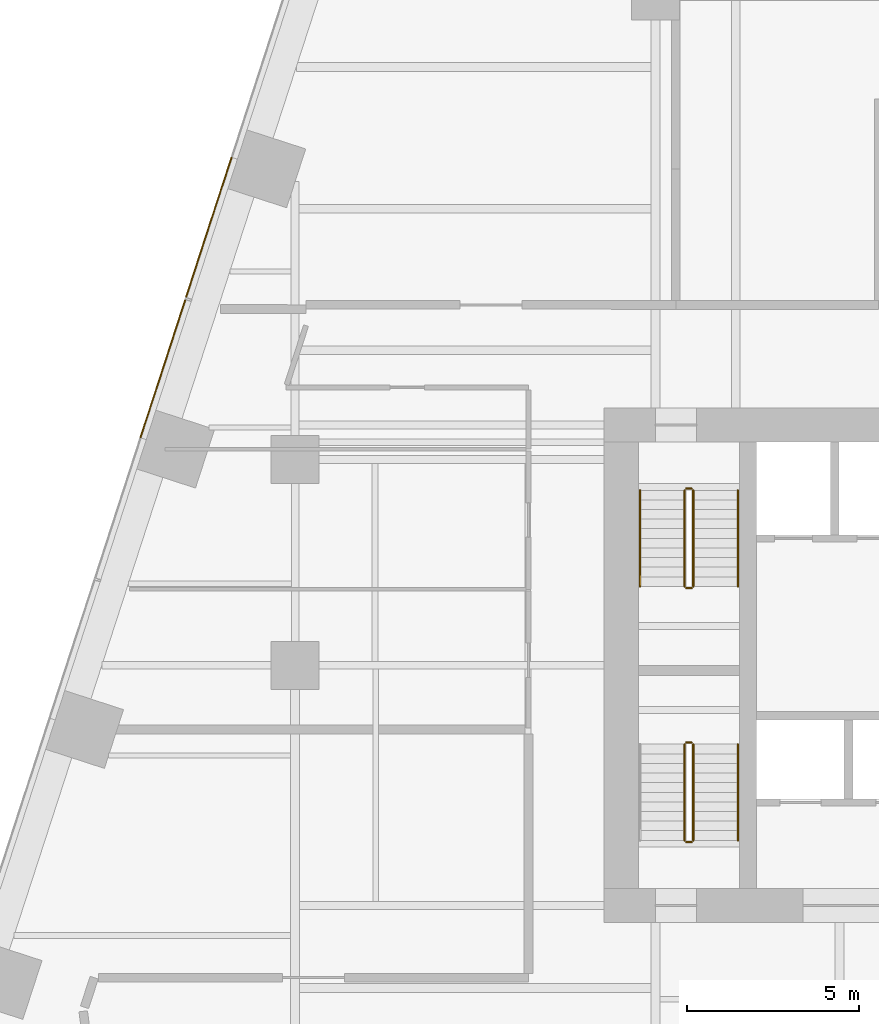
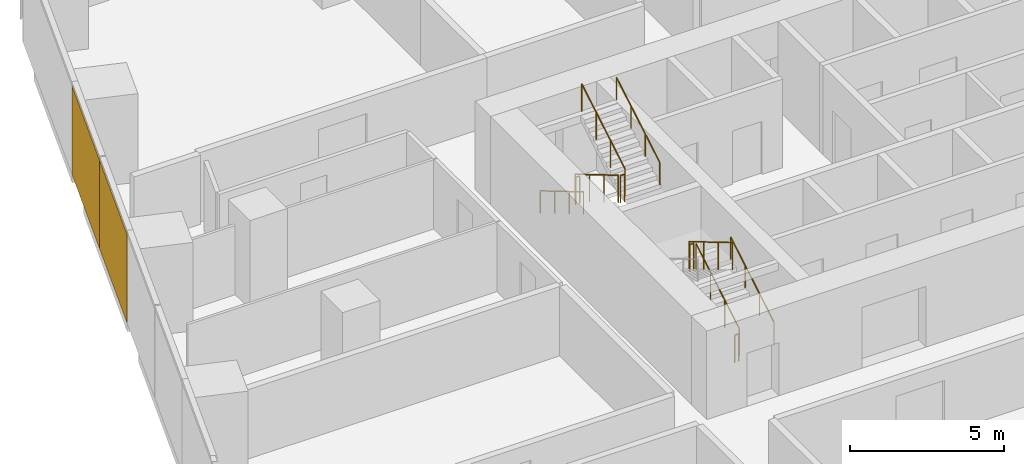
# One storey, part 19 of 20: 11 railings, 2 coverings, 1 element without a shape of its own.
"""IFC4 building model written with IfcOpenShell, lengths in metres."""

from ifc_helpers import new_model, si_unit, direction, frame, origin, origin_2d, place, context, subcontext, project, spatial, rectangle, circle, extrude, material, layer, layer_set, type_object, element, aggregate, save


model = new_model("IFC4")

# Units and contexts
model_context = context("Model", 3, precision=1e-05, world=origin(), true_north=direction((0.0, 1.0)))
body_context = subcontext(model_context, "Body", "Model", "MODEL_VIEW")
ifc_project = project(units=[si_unit("LENGTHUNIT", "METRE"), si_unit("AREAUNIT", "SQUARE_METRE"), si_unit("VOLUMEUNIT", "CUBIC_METRE"), si_unit("PLANEANGLEUNIT", "RADIAN"), si_unit("MASSUNIT", "GRAM", prefix="KILO")], contexts=[model_context])

# Site, building, storey
site_placement = place(None, origin())
site = spatial("IfcSite", under=ifc_project, at=site_placement, CompositionType="ELEMENT")
building_placement = place(site_placement, origin())
building = spatial("IfcBuilding", under=site, at=building_placement, Name="Isthmus Gate Tower", CompositionType="ELEMENT")
storey_placement = place(building_placement, frame((0.0, 0.0, 57.89990234375)))
storey = spatial("IfcBuildingStorey", under=building, at=storey_placement, Name="L12", CompositionType="ELEMENT", Elevation=57.89990234375)

# Curtain wall, coverings
ifc_material_1 = material(Name="Aluminium, pale champagne anodised", Category="aluminium")
ifc_layer_1 = layer(ifc_material_1, 0.199951171875)
ifc_layer_set_1 = layer_set([ifc_layer_1], Name="CW-1 UNITISED CURTAIN WALL 200 DEEP")
curtain_wall_type = type_object("IfcCurtainWallType", Name="CW-1 UNITISED CURTAIN WALL 200 DEEP", PredefinedType="NOTDEFINED", material=ifc_layer_set_1)
curtain_wall_placement = place(storey_placement, origin())
curtain_wall = element("IfcCurtainWall", 1, at=curtain_wall_placement, inside=storey, type_object=curtain_wall_type, Name="CW-1 NW L12", PredefinedType="NOTDEFINED")
ifc_material_2 = material(Name="Aluminium composite panel, pale champagne anodised", Category="aluminium")
ifc_layer_2 = layer(ifc_material_2, 0.0400390625)
ifc_layer_set_2 = layer_set([ifc_layer_2], Name="CW-1 PALE METAL PANEL 40")
covering_type = type_object("IfcCoveringType", Name="CW-1 PALE METAL PANEL 40", PredefinedType="CLADDING", material=ifc_layer_set_2)
covering_1_placement = place(storey_placement, frame((-26.51806640625, 20.25927734375, 0.0), z_axis=(0.0, 0.0, 1.0), x_axis=(-0.309016994375, -0.951056516295, 0.0)))
covering_1 = element("IfcCovering", 2, at=covering_1_placement, type_object=covering_type, Name="CW-1 pale metal panel", PredefinedType="CLADDING", context=body_context, shape_type="SweptSolid", body=[
    extrude(rectangle(XDim=4.294677734375, YDim=0.0400390625, at=origin_2d()), origin(), (0.0, 0.0, 1.0), 3.5),
])
covering_2_placement = place(storey_placement, frame((-27.8544921875, 16.146484375, 0.0), z_axis=(0.0, 0.0, 1.0), x_axis=(-0.309016994375, -0.951056516295, 0.0)))
covering_2 = element("IfcCovering", 3, at=covering_2_placement, type_object=covering_type, Name="CW-1 pale metal panel", PredefinedType="CLADDING", context=body_context, shape_type="SweptSolid", body=[
    extrude(rectangle(XDim=4.234619140625, YDim=0.0400390625, at=origin_2d()), origin(), (0.0, 0.0, 1.0), 3.5),
])
aggregate(curtain_wall, [covering_1, covering_2])

# Railings
ifc_material_3 = material(Name="Stainless steel balustrade", Category="steel")
railing_type_1 = type_object("IfcRailingType", Name="STAIR GUARD 1100", PredefinedType="GUARDRAIL", material=ifc_material_3)
railing_1_placement = place(storey_placement, frame((-12.64990234375, 12.60009765625, 0.166015625)))
element("IfcRailing", 4, at=railing_1_placement, inside=storey, type_object=railing_type_1, Name="L12 ST1 stair guard 1", PredefinedType="GUARDRAIL", context=body_context, shape_type="SweptSolid", body=[
    extrude(circle(Radius=0.02392578125, at=origin_2d()), frame((0.0, 0.0, 1.076171875), z_axis=(0.0, -0.860306154799, 0.50977771628), x_axis=(1.0, 0.0, 0.0)), (0.0, 0.0, 1.0), 3.254638671875),
    extrude(circle(Radius=0.02099609375, at=origin_2d()), origin(), (0.0, 0.0, 1.0), 1.052001953125),
    extrude(circle(Radius=0.02099609375, at=origin_2d()), frame((0.0, -0.933349609375, 0.552978515625)), (0.0, 0.0, 1.0), 1.052001953125),
    extrude(circle(Radius=0.02099609375, at=origin_2d()), frame((0.0, -1.86669921875, 1.106201171875)), (0.0, 0.0, 1.0), 1.052001953125),
    extrude(circle(Radius=0.02099609375, at=origin_2d()), frame((0.0, -2.800048828125, 1.6591796875)), (0.0, 0.0, 1.0), 1.052001953125),
])
railing_2_placement = place(storey_placement, frame((-12.60009765625, 9.75, 1.8251953125)))
element("IfcRailing", 5, at=railing_2_placement, inside=storey, type_object=railing_type_1, Name="L12 ST1 stair guard 2", PredefinedType="GUARDRAIL", context=body_context, shape_type="SweptSolid", body=[
    extrude(circle(Radius=0.02392578125, at=origin_2d()), frame((0.0, 0.0, 1.076171875), z_axis=(1.0, 0.0, 0.0), x_axis=(0.0, 1.0, 0.0)), (0.0, 0.0, 1.0), 0.150146484375),
    extrude(circle(Radius=0.02099609375, at=origin_2d()), origin(), (0.0, 0.0, 1.0), 1.052001953125),
    extrude(circle(Radius=0.02099609375, at=origin_2d()), frame((0.150146484375, 0.0, 0.0)), (0.0, 0.0, 1.0), 1.052001953125),
])
railing_3_placement = place(storey_placement, frame((-12.39990234375, 9.800048828125, 1.990966796875)))
element("IfcRailing", 6, at=railing_3_placement, inside=storey, type_object=railing_type_1, Name="L12 ST1 stair guard 3", PredefinedType="GUARDRAIL", context=body_context, shape_type="SweptSolid", body=[
    extrude(circle(Radius=0.02392578125, at=origin_2d()), frame((0.0, 0.0, 1.076171875), z_axis=(0.0, 0.860306154799, 0.50977771628), x_axis=(-1.0, 0.0, 0.0)), (0.0, 0.0, 1.0), 3.254638671875),
    extrude(circle(Radius=0.02099609375, at=origin_2d()), origin(), (0.0, 0.0, 1.0), 1.052001953125),
    extrude(circle(Radius=0.02099609375, at=origin_2d()), frame((0.0, 0.933349609375, 0.552978515625)), (0.0, 0.0, 1.0), 1.052001953125),
    extrude(circle(Radius=0.02099609375, at=origin_2d()), frame((0.0, 1.86669921875, 1.106201171875)), (0.0, 0.0, 1.0), 1.052001953125),
    extrude(circle(Radius=0.02099609375, at=origin_2d()), frame((0.0, 2.800048828125, 1.6591796875)), (0.0, 0.0, 1.0), 1.052001953125),
])
railing_4_placement = place(storey_placement, frame((-12.60009765625, 12.64990234375, 0.0)))
element("IfcRailing", 7, at=railing_4_placement, inside=storey, type_object=railing_type_1, Name="L12 ST1 stair guard 4", PredefinedType="GUARDRAIL", context=body_context, shape_type="SweptSolid", body=[
    extrude(circle(Radius=0.02392578125, at=origin_2d()), frame((0.0, 0.0, 1.076171875), z_axis=(1.0, 0.0, 0.0), x_axis=(0.0, 1.0, 0.0)), (0.0, 0.0, 1.0), 0.150146484375),
    extrude(circle(Radius=0.02099609375, at=origin_2d()), origin(), (0.0, 0.0, 1.0), 1.052001953125),
    extrude(circle(Radius=0.02099609375, at=origin_2d()), frame((0.150146484375, 0.0, 0.0)), (0.0, 0.0, 1.0), 1.052001953125),
])
railing_5_placement = place(storey_placement, frame((-12.39990234375, 2.39990234375, 0.166015625)))
element("IfcRailing", 8, at=railing_5_placement, inside=storey, type_object=railing_type_1, Name="L12 ST7 stair guard 1", PredefinedType="GUARDRAIL", context=body_context, shape_type="SweptSolid", body=[
    extrude(circle(Radius=0.02392578125, at=origin_2d()), frame((0.0, 0.0, 1.076171875), z_axis=(0.0, 0.860306154799, 0.50977771628), x_axis=(-1.0, 0.0, 0.0)), (0.0, 0.0, 1.0), 3.254638671875),
    extrude(circle(Radius=0.02099609375, at=origin_2d()), origin(), (0.0, 0.0, 1.0), 1.052001953125),
    extrude(circle(Radius=0.02099609375, at=origin_2d()), frame((0.0, 0.933349609375, 0.552978515625)), (0.0, 0.0, 1.0), 1.052001953125),
    extrude(circle(Radius=0.02099609375, at=origin_2d()), frame((0.0, 1.86669921875, 1.106201171875)), (0.0, 0.0, 1.0), 1.052001953125),
    extrude(circle(Radius=0.02099609375, at=origin_2d()), frame((0.0, 2.800048828125, 1.6591796875)), (0.0, 0.0, 1.0), 1.052001953125),
])
railing_6_placement = place(storey_placement, frame((-12.449951171875, 5.25, 1.8251953125)))
element("IfcRailing", 9, at=railing_6_placement, inside=storey, type_object=railing_type_1, Name="L12 ST7 stair guard 2", PredefinedType="GUARDRAIL", context=body_context, shape_type="SweptSolid", body=[
    extrude(circle(Radius=0.02392578125, at=origin_2d()), frame((0.0, 0.0, 1.076171875), z_axis=(-1.0, 0.0, 0.0), x_axis=(0.0, -1.0, 0.0)), (0.0, 0.0, 1.0), 0.150146484375),
    extrude(circle(Radius=0.02099609375, at=origin_2d()), origin(), (0.0, 0.0, 1.0), 1.052001953125),
    extrude(circle(Radius=0.02099609375, at=origin_2d()), frame((-0.150146484375, 0.0, 0.0)), (0.0, 0.0, 1.0), 1.052001953125),
])
railing_7_placement = place(storey_placement, frame((-12.64990234375, 5.199951171875, 1.990966796875)))
element("IfcRailing", 10, at=railing_7_placement, inside=storey, type_object=railing_type_1, Name="L12 ST7 stair guard 3", PredefinedType="GUARDRAIL", context=body_context, shape_type="SweptSolid", body=[
    extrude(circle(Radius=0.02392578125, at=origin_2d()), frame((0.0, 0.0, 1.076171875), z_axis=(0.0, -0.860306154799, 0.50977771628), x_axis=(1.0, 0.0, 0.0)), (0.0, 0.0, 1.0), 3.254638671875),
    extrude(circle(Radius=0.02099609375, at=origin_2d()), origin(), (0.0, 0.0, 1.0), 1.052001953125),
    extrude(circle(Radius=0.02099609375, at=origin_2d()), frame((0.0, -0.933349609375, 0.552978515625)), (0.0, 0.0, 1.0), 1.052001953125),
    extrude(circle(Radius=0.02099609375, at=origin_2d()), frame((0.0, -1.86669921875, 1.106201171875)), (0.0, 0.0, 1.0), 1.052001953125),
    extrude(circle(Radius=0.02099609375, at=origin_2d()), frame((0.0, -2.800048828125, 1.6591796875)), (0.0, 0.0, 1.0), 1.052001953125),
])
railing_8_placement = place(storey_placement, frame((-12.449951171875, 2.35009765625, 0.0)))
element("IfcRailing", 11, at=railing_8_placement, inside=storey, type_object=railing_type_1, Name="L12 ST7 stair guard 4", PredefinedType="GUARDRAIL", context=body_context, shape_type="SweptSolid", body=[
    extrude(circle(Radius=0.02392578125, at=origin_2d()), frame((0.0, 0.0, 1.076171875), z_axis=(-1.0, 0.0, 0.0), x_axis=(0.0, -1.0, 0.0)), (0.0, 0.0, 1.0), 0.150146484375),
    extrude(circle(Radius=0.02099609375, at=origin_2d()), origin(), (0.0, 0.0, 1.0), 1.052001953125),
    extrude(circle(Radius=0.02099609375, at=origin_2d()), frame((-0.150146484375, 0.0, 0.0)), (0.0, 0.0, 1.0), 1.052001953125),
])
ifc_material_4 = material(Name="Stainless steel handrail", Category="steel")
railing_type_2 = type_object("IfcRailingType", Name="STAIR HANDRAIL 900", PredefinedType="HANDRAIL", material=ifc_material_4)
railing_9_placement = place(storey_placement, frame((-13.949951171875, 12.60009765625, 0.166015625)))
element("IfcRailing", 12, at=railing_9_placement, inside=storey, type_object=railing_type_2, Name="L12 ST1 stair handrail 1", PredefinedType="HANDRAIL", context=body_context, shape_type="SweptSolid", body=[
    extrude(circle(Radius=0.02392578125, at=origin_2d()), frame((0.0, 0.0, 0.8759765625), z_axis=(0.0, -0.860306154799, 0.50977771628), x_axis=(1.0, 0.0, 0.0)), (0.0, 0.0, 1.0), 3.254638671875),
    extrude(circle(Radius=0.02099609375, at=origin_2d()), origin(), (0.0, 0.0, 1.0), 0.851806640625),
    extrude(circle(Radius=0.02099609375, at=origin_2d()), frame((0.0, -0.933349609375, 0.552978515625)), (0.0, 0.0, 1.0), 0.851806640625),
    extrude(circle(Radius=0.02099609375, at=origin_2d()), frame((0.0, -1.86669921875, 1.106201171875)), (0.0, 0.0, 1.0), 0.851806640625),
    extrude(circle(Radius=0.02099609375, at=origin_2d()), frame((0.0, -2.800048828125, 1.6591796875)), (0.0, 0.0, 1.0), 0.851806640625),
])
for number, where, name in (
    (13, (-11.10009765625, 9.800048828125, 1.990966796875), "L12 ST1 stair handrail 2"),
    (14, (-11.10009765625, 2.39990234375, 0.166015625), "L12 ST7 stair handrail 1"),
):
    element("IfcRailing", number, at=place(storey_placement, frame(where)), inside=storey, type_object=railing_type_2, Name=name, PredefinedType="HANDRAIL", context=body_context, shape_type="SweptSolid", body=[
        extrude(circle(Radius=0.02392578125, at=origin_2d()), frame((0.0, 0.0, 0.8759765625), z_axis=(0.0, 0.860306154799, 0.50977771628), x_axis=(-1.0, 0.0, 0.0)), (0.0, 0.0, 1.0), 3.254638671875),
        extrude(circle(Radius=0.02099609375, at=origin_2d()), origin(), (0.0, 0.0, 1.0), 0.851806640625),
        extrude(circle(Radius=0.02099609375, at=origin_2d()), frame((0.0, 0.933349609375, 0.552978515625)), (0.0, 0.0, 1.0), 0.851806640625),
        extrude(circle(Radius=0.02099609375, at=origin_2d()), frame((0.0, 1.86669921875, 1.106201171875)), (0.0, 0.0, 1.0), 0.851806640625),
        extrude(circle(Radius=0.02099609375, at=origin_2d()), frame((0.0, 2.800048828125, 1.6591796875)), (0.0, 0.0, 1.0), 0.851806640625),
    ])

save(model, "model.ifc")
